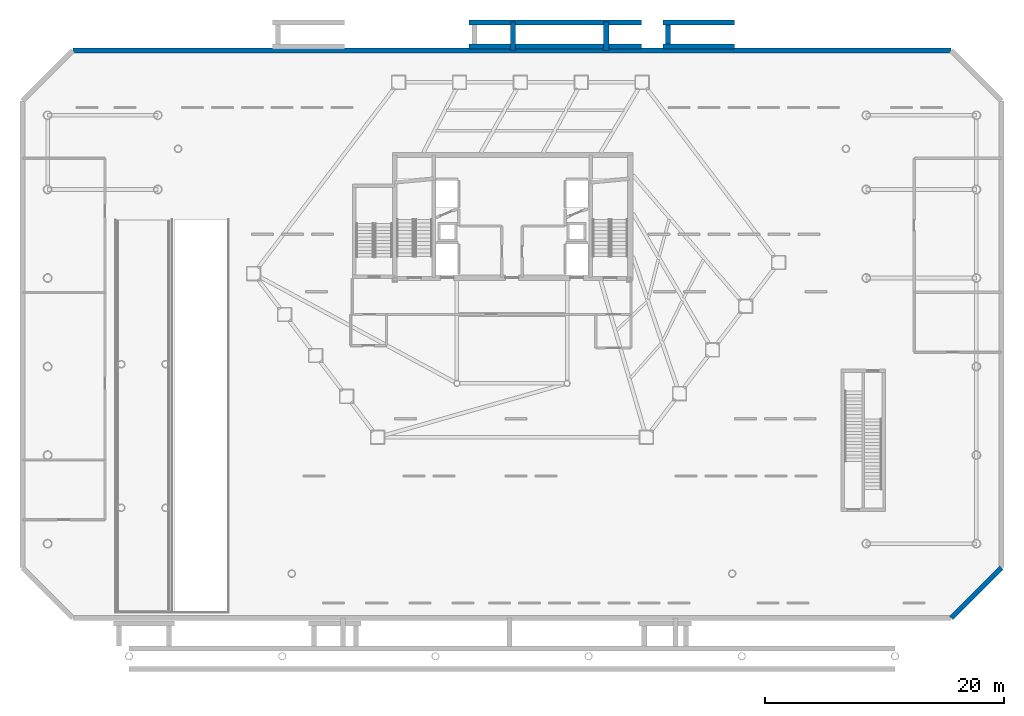
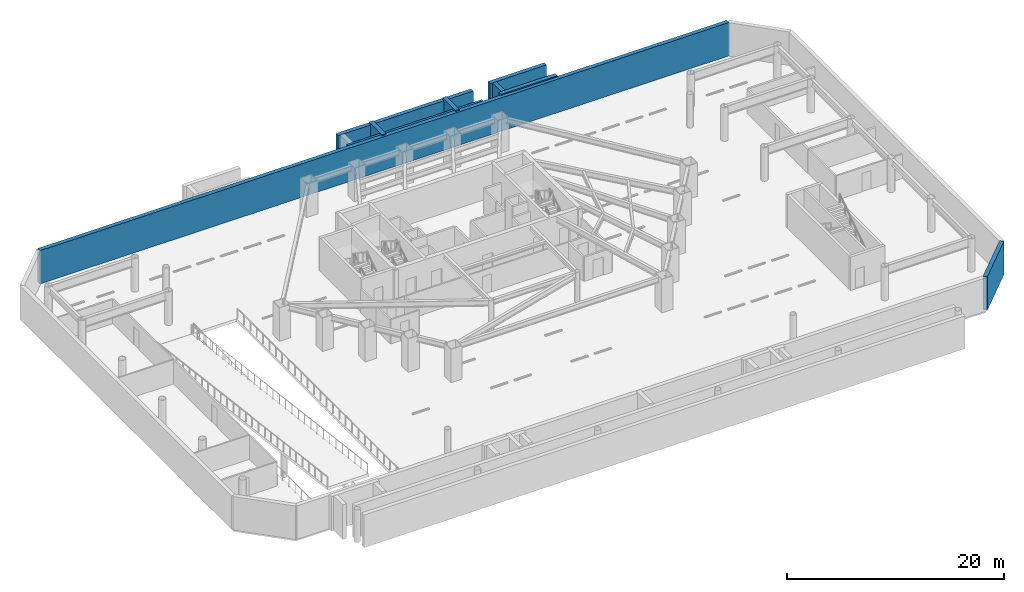
# One storey, part 10 of 15: 9 walls.
"""IFC4 building model written with IfcOpenShell, lengths in metres."""

from ifc_helpers import new_model, si_unit, direction, frame, frame_2d, origin, place, context, subcontext, project, spatial, rectangle, extrude, material, layer, layer_set, type_object, element, save


model = new_model("IFC4")

# Units and contexts
model_context = context("Model", 3, precision=1e-05, world=origin(), true_north=direction((0.0, 1.0)))
body_context = subcontext(model_context, "Body", "Model", "MODEL_VIEW")
ifc_project = project(units=[si_unit("LENGTHUNIT", "METRE"), si_unit("AREAUNIT", "SQUARE_METRE"), si_unit("VOLUMEUNIT", "CUBIC_METRE"), si_unit("PLANEANGLEUNIT", "RADIAN"), si_unit("MASSUNIT", "GRAM", prefix="KILO")], contexts=[model_context])

# Site, building, storey
site_placement = place(None, origin())
site = spatial("IfcSite", under=ifc_project, at=site_placement, CompositionType="ELEMENT")
building_placement = place(site_placement, origin())
building = spatial("IfcBuilding", under=site, at=building_placement, Name="Zarrinselat Tower", CompositionType="ELEMENT")
storey_placement = place(building_placement, frame((0.0, 0.0, -4.080078125)))
storey = spatial("IfcBuildingStorey", under=building, at=storey_placement, Name="B01", CompositionType="ELEMENT", Elevation=-4.080078125)

# Walls
ifc_material = material(Name="Concrete C50/60", Category="concrete")
ifc_layer = layer(ifc_material, 0.419921875)
ifc_layer_set = layer_set([ifc_layer], Name="Concrete C50/60")
wall_type = type_object("IfcWallType", Name="WAL-RET-420", PredefinedType="SOLIDWALL", material=ifc_layer_set)
for number, where, z_axis, x_axis, name in (
    (1, (51.0, 52.550048828125, 0.0), (0.0, 0.0, 1.0), (1.0, 0.0, 0.0), "B01 North Plaza NE Bearing Wall 52"),
    (2, (51.0, 54.550048828125, 0.0), (0.0, 0.0, 1.0), (1.0, 0.0, 0.0), "B01 North Plaza NE Bearing Wall 54"),
):
    element("IfcWall", number, at=place(storey_placement, frame(where, z_axis=z_axis, x_axis=x_axis)), inside=storey, type_object=wall_type, Name=name, PredefinedType="SOLIDWALL", context=body_context, shape_type="SweptSolid", body=[
        extrude(rectangle(XDim=6.0, YDim=0.419921875, at=frame_2d((3.0, 0.0))), origin(), (0.0, 0.0, 1.0), 3.880126953125),
    ])
wall_1_placement = place(storey_placement, frame((51.449951171875, 52.760009765625, 0.0), z_axis=(0.0, 0.0, 1.0), x_axis=(0.0, 1.0, 0.0)))
element("IfcWall", 3, at=wall_1_placement, inside=storey, type_object=wall_type, Name="B01 North Plaza NE Cross Bearing Wall", PredefinedType="SOLIDWALL", context=body_context, shape_type="SweptSolid", body=[
    extrude(rectangle(XDim=1.580078125, YDim=0.419921875, at=frame_2d((0.7900390625, 0.0))), origin(), (0.0, 0.0, 1.0), 3.880126953125),
])
for number, where, z_axis, x_axis, name in (
    (4, (34.800048828125, 52.550048828125, 0.0), (0.0, 0.0, 1.0), (1.0, 0.0, 0.0), "B01 North Plaza NC Bearing Wall 52"),
    (5, (34.800048828125, 54.550048828125, 0.0), (0.0, 0.0, 1.0), (1.0, 0.0, 0.0), "B01 North Plaza NC Bearing Wall 54"),
):
    element("IfcWall", number, at=place(storey_placement, frame(where, z_axis=z_axis, x_axis=x_axis)), inside=storey, type_object=wall_type, Name=name, PredefinedType="SOLIDWALL", context=body_context, shape_type="SweptSolid", body=[
        extrude(rectangle(XDim=14.39990234375, YDim=0.419921875, at=frame_2d((7.199951171875, 0.0))), origin(), (0.0, 0.0, 1.0), 3.68017578125),
    ])
for number, where, z_axis, x_axis, name in (
    (6, (38.47509765625, 52.199951171875, 0.0), (0.0, 0.0, 1.0), (0.0, 1.0, 0.0), "B01 Accessible Ramp 4 Bearing Wall"),
    (7, (46.27490234375, 52.199951171875, 0.0), (0.0, 0.0, 1.0), (0.0, 1.0, 0.0), "B01 Accessible Ramp 5 Bearing Wall"),
):
    element("IfcWall", number, at=place(storey_placement, frame(where, z_axis=z_axis, x_axis=x_axis)), inside=storey, type_object=wall_type, Name=name, PredefinedType="SOLIDWALL", context=body_context, shape_type="SweptSolid", body=[
        extrude(rectangle(XDim=2.400146484375, YDim=0.419921875, at=frame_2d((1.2001953125, 0.0))), origin(), (0.0, 0.0, 1.0), 3.880126953125),
    ])
wall_2_placement = place(storey_placement, frame((75.10009765625, 4.800048828125, 0.0), z_axis=(0.0, 0.0, 1.0), x_axis=(0.707106781187, 0.707106781187, 0.0)))
element("IfcWall", 8, at=wall_2_placement, inside=storey, type_object=wall_type, Name="B01 Basement Perimeter Retaining Wall 2", PredefinedType="SOLIDWALL", context=body_context, shape_type="SweptSolid", body=[
    extrude(rectangle(XDim=5.939697265625, YDim=0.419921875, at=frame_2d((2.9697265625, 0.0))), origin(), (0.0, 0.0, 1.0), 3.760009765625),
])
wall_3_placement = place(storey_placement, frame((1.699951171875, 52.199951171875, 0.0), z_axis=(0.0, 0.0, 1.0), x_axis=(1.0, 0.0, 0.0)))
element("IfcWall", 9, at=wall_3_placement, inside=storey, type_object=wall_type, Name="B01 Basement Perimeter Retaining Wall 5", PredefinedType="SOLIDWALL", context=body_context, shape_type="SweptSolid", body=[
    extrude(rectangle(XDim=73.400146484375, YDim=0.419921875, at=frame_2d((36.7001953125, 0.0))), origin(), (0.0, 0.0, 1.0), 3.760009765625),
])

save(model, "model.ifc")
